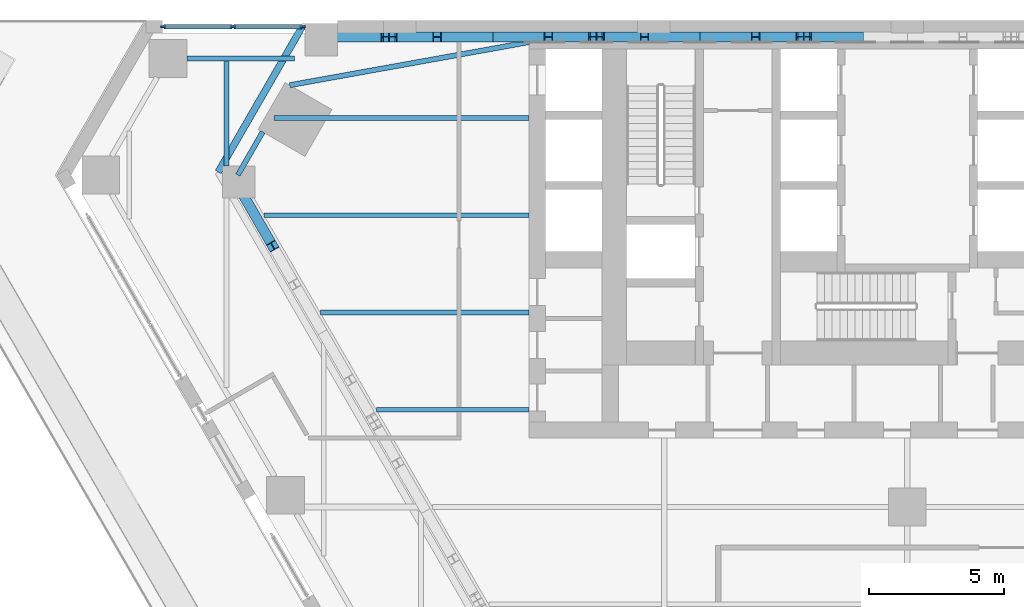
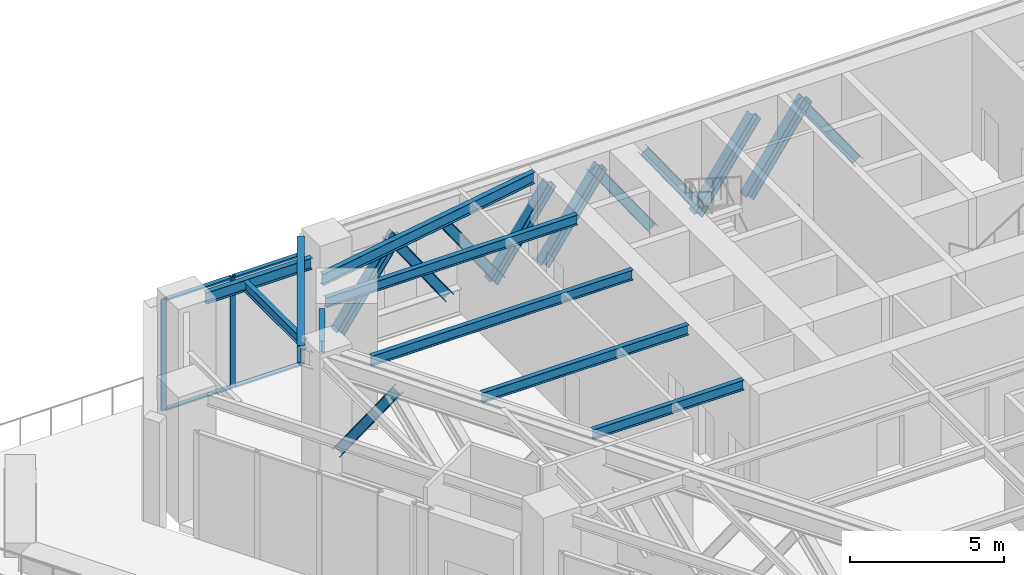
# One storey, part 6 of 25: 18 members, 9 beams, 1 element without a shape of its own.
"""IFC4 building model written with IfcOpenShell, lengths in metres."""

from ifc_helpers import new_model, si_unit, direction, frame, origin, origin_2d, place, context, subcontext, project, spatial, rectangle, i_section, extrude, material, material_profile, profile_set, type_object, element, aggregate, save


model = new_model("IFC4")

# Units and contexts
model_context = context("Model", 3, precision=1e-05, world=origin(), true_north=direction((0.0, 1.0)))
body_context = subcontext(model_context, "Body", "Model", "MODEL_VIEW")
ifc_project = project(units=[si_unit("LENGTHUNIT", "METRE"), si_unit("AREAUNIT", "SQUARE_METRE"), si_unit("VOLUMEUNIT", "CUBIC_METRE"), si_unit("PLANEANGLEUNIT", "RADIAN"), si_unit("MASSUNIT", "GRAM", prefix="KILO")], contexts=[model_context])

# Site, building, storey
site_placement = place(None, origin())
site = spatial("IfcSite", under=ifc_project, at=site_placement, CompositionType="ELEMENT")
building_placement = place(site_placement, origin())
building = spatial("IfcBuilding", under=site, at=building_placement, Name="Aloe Facet Convention Tower", CompositionType="ELEMENT")
storey_placement = place(building_placement, frame((0.0, 0.0, 30.0)))
storey = spatial("IfcBuildingStorey", under=building, at=storey_placement, Name="L05", CompositionType="ELEMENT", Elevation=30.0)

# Beam
ifc_material_1 = material(Name="Steel S355", Category="steel")
ifc_material_profile_1 = material_profile(ifc_material_1, i_section(OverallWidth=0.25439453125, OverallDepth=0.6875, WebThickness=0.01318359375, FlangeThickness=0.02099609375, FilletRadius=0.01513671875, at=origin_2d()), Name="UB 686x254x152")
ifc_profile_set_1 = profile_set([ifc_material_profile_1], Name="Steel S355")
beam_type_1 = type_object("IfcBeamType", Name="EV-EB-UB686x254x152", PredefinedType="BEAM", material=ifc_profile_set_1)
beam_1_placement = place(storey_placement, frame((57.60009765625, 134.77490234375, 4.456298828125), z_axis=(-0.500016243463, -0.866016025414, 0.0), x_axis=(0.866016025414, -0.500016243463, 0.0)))
element("IfcBeam", 1, at=beam_1_placement, inside=storey, type_object=beam_type_1, Name="EB-L06-A", PredefinedType="BEAM", context=body_context, shape_type="SweptSolid", body=[
    extrude(i_section(OverallWidth=0.25439453125, OverallDepth=0.6875, WebThickness=0.01318359375, FlangeThickness=0.02099609375, FilletRadius=0.01513671875, at=origin_2d()), origin(), (0.0, 0.0, 1.0), 6.210205078125),
])

# Curtain wall, members
ifc_material_2 = material(Name="Aluminium, anodised", Category="aluminium")
curtain_wall_type = type_object("IfcCurtainWallType", Name="EV-CW-HALL", PredefinedType="USERDEFINED", material=ifc_material_2)
curtain_wall_placement = place(storey_placement, origin())
curtain_wall = element("IfcCurtainWall", 2, at=curtain_wall_placement, inside=storey, type_object=curtain_wall_type, Name="CW-L05-N12", ObjectType="UNITISED HALL GLAZING", PredefinedType="USERDEFINED")
ifc_material_3 = material(Name="Aluminium, anodised", Category="aluminium")
ifc_material_profile_2 = material_profile(ifc_material_3, rectangle(XDim=0.06494140625, YDim=0.199951171875, at=origin_2d()), Name="AL 65x200")
ifc_profile_set_2 = profile_set([ifc_material_profile_2], Name="Aluminium, anodised")
member_type_1 = type_object("IfcMemberType", Name="EV-MULL-HALL", PredefinedType="MULLION", material=ifc_profile_set_2)
member_1_placement = place(storey_placement, frame((57.617431640625, 134.77490234375, -0.300048828125), z_axis=(0.0, 0.0, 1.0), x_axis=(0.0, -1.0, 0.0)))
member_1 = element("IfcMember", 3, at=member_1_placement, type_object=member_type_1, Name="CW-L05-N12 mullion 1", PredefinedType="MULLION", context=body_context, shape_type="SweptSolid", body=[
    extrude(rectangle(XDim=0.06494140625, YDim=0.199951171875, at=origin_2d()), origin(), (0.0, 0.0, 1.0), 4.41259765625),
])
member_2_placement = place(storey_placement, frame((55.038330078125, 134.77490234375, -0.300048828125), z_axis=(0.0, 0.0, 1.0), x_axis=(0.0, -1.0, 0.0)))
member_2 = element("IfcMember", 4, at=member_2_placement, type_object=member_type_1, Name="CW-L05-N12 mullion 2", PredefinedType="MULLION", context=body_context, shape_type="SweptSolid", body=[
    extrude(rectangle(XDim=0.06494140625, YDim=0.199951171875, at=origin_2d()), origin(), (0.0, 0.0, 1.0), 4.41259765625),
])
member_3_placement = place(storey_placement, frame((52.458984375, 134.77490234375, -0.300048828125), z_axis=(0.0, 0.0, 1.0), x_axis=(0.0, -1.0, 0.0)))
member_3 = element("IfcMember", 5, at=member_3_placement, type_object=member_type_1, Name="CW-L05-N12 mullion 3", PredefinedType="MULLION", context=body_context, shape_type="SweptSolid", body=[
    extrude(rectangle(XDim=0.06494140625, YDim=0.199951171875, at=origin_2d()), origin(), (0.0, 0.0, 1.0), 4.41259765625),
])
ifc_material_4 = material(Name="Aluminium, anodised", Category="aluminium")
ifc_material_profile_3 = material_profile(ifc_material_4, rectangle(XDim=0.159912109375, YDim=0.06494140625, at=origin_2d()), Name="AL 160x65")
ifc_profile_set_3 = profile_set([ifc_material_profile_3], Name="Aluminium, anodised")
member_type_2 = type_object("IfcMemberType", Name="EV-TRAN-HALL", PredefinedType="USERDEFINED", material=ifc_profile_set_3)
member_4_placement = place(storey_placement, frame((57.5849609375, 134.77490234375, -0.267578125), z_axis=(-1.0, 0.0, 0.0), x_axis=(0.0, -1.0, 0.0)))
member_4 = element("IfcMember", 6, at=member_4_placement, type_object=member_type_2, Name="CW-L05-N12 transom 1.1", ObjectType="TRANSOM", PredefinedType="USERDEFINED", context=body_context, shape_type="SweptSolid", body=[
    extrude(rectangle(XDim=0.159912109375, YDim=0.06494140625, at=origin_2d()), origin(), (0.0, 0.0, 1.0), 2.51416015625),
])
member_5_placement = place(storey_placement, frame((57.5849609375, 134.77490234375, 4.080078125), z_axis=(-1.0, 0.0, 0.0), x_axis=(0.0, -1.0, 0.0)))
member_5 = element("IfcMember", 7, at=member_5_placement, type_object=member_type_2, Name="CW-L05-N12 transom 1.2", ObjectType="TRANSOM", PredefinedType="USERDEFINED", context=body_context, shape_type="SweptSolid", body=[
    extrude(rectangle(XDim=0.159912109375, YDim=0.06494140625, at=origin_2d()), origin(), (0.0, 0.0, 1.0), 2.51416015625),
])
member_6_placement = place(storey_placement, frame((55.005859375, 134.77490234375, -0.267578125), z_axis=(-1.0, 0.0, 0.0), x_axis=(0.0, -1.0, 0.0)))
member_6 = element("IfcMember", 8, at=member_6_placement, type_object=member_type_2, Name="CW-L05-N12 transom 2.1", ObjectType="TRANSOM", PredefinedType="USERDEFINED", context=body_context, shape_type="SweptSolid", body=[
    extrude(rectangle(XDim=0.159912109375, YDim=0.06494140625, at=origin_2d()), origin(), (0.0, 0.0, 1.0), 2.514404296875),
])
member_7_placement = place(storey_placement, frame((55.005859375, 134.77490234375, 4.080078125), z_axis=(-1.0, 0.0, 0.0), x_axis=(0.0, -1.0, 0.0)))
member_7 = element("IfcMember", 9, at=member_7_placement, type_object=member_type_2, Name="CW-L05-N12 transom 2.2", ObjectType="TRANSOM", PredefinedType="USERDEFINED", context=body_context, shape_type="SweptSolid", body=[
    extrude(rectangle(XDim=0.159912109375, YDim=0.06494140625, at=origin_2d()), origin(), (0.0, 0.0, 1.0), 2.514404296875),
])
aggregate(curtain_wall, [member_1, member_2, member_3, member_4, member_5, member_6, member_7])

# Beams
ifc_material_5 = material(Name="Steel S355", Category="steel")
ifc_material_profile_4 = material_profile(ifc_material_5, i_section(OverallWidth=0.177734375, OverallDepth=0.402587890625, WebThickness=0.0078125, FlangeThickness=0.010986328125, FilletRadius=0.01025390625, at=origin_2d()), Name="UB 406x178x54")
ifc_profile_set_4 = profile_set([ifc_material_profile_4], Name="Steel S355")
beam_type_2 = type_object("IfcBeamType", Name="SF-B-UB406x178x54", PredefinedType="BEAM", material=ifc_profile_set_4)
beam_2_placement = place(storey_placement, frame((54.800048828125, 129.6279296875, 4.5986328125), z_axis=(0.0, 1.0, 0.0), x_axis=(-1.0, 0.0, 0.0)))
element("IfcBeam", 10, at=beam_2_placement, inside=storey, type_object=beam_type_2, Name="Floor beam FB-L06-820", PredefinedType="BEAM", context=body_context, shape_type="SweptSolid", body=[
    extrude(i_section(OverallWidth=0.177734375, OverallDepth=0.402587890625, WebThickness=0.0078125, FlangeThickness=0.010986328125, FilletRadius=0.01025390625, at=origin_2d()), origin(), (0.0, 0.0, 1.0), 3.8671875),
])
beam_3_placement = place(storey_placement, frame((56.194580078125, 127.800048828125, 4.5986328125), z_axis=(1.0, 0.0, 0.0), x_axis=(0.0, 1.0, 0.0)))
element("IfcBeam", 11, at=beam_3_placement, inside=storey, type_object=beam_type_2, Name="Floor beam FB-Z1A-017", PredefinedType="BEAM", context=body_context, shape_type="SweptSolid", body=[
    extrude(i_section(OverallWidth=0.177734375, OverallDepth=0.402587890625, WebThickness=0.0078125, FlangeThickness=0.010986328125, FilletRadius=0.01025390625, at=origin_2d()), origin(), (0.0, 0.0, 1.0), 9.805419921875),
])
beam_4_placement = place(storey_placement, frame((56.55908203125, 131.39990234375, 4.5986328125), z_axis=(1.0, 0.0, 0.0), x_axis=(0.0, 1.0, 0.0)))
element("IfcBeam", 12, at=beam_4_placement, inside=storey, type_object=beam_type_2, Name="Floor beam FB-Z1A-018", PredefinedType="BEAM", context=body_context, shape_type="SweptSolid", body=[
    extrude(i_section(OverallWidth=0.177734375, OverallDepth=0.402587890625, WebThickness=0.0078125, FlangeThickness=0.010986328125, FilletRadius=0.01025390625, at=origin_2d()), origin(), (0.0, 0.0, 1.0), 9.44091796875),
])
beam_5_placement = place(storey_placement, frame((58.27294921875, 124.199951171875, 4.5986328125), z_axis=(1.0, 0.0, 0.0), x_axis=(0.0, 1.0, 0.0)))
element("IfcBeam", 13, at=beam_5_placement, inside=storey, type_object=beam_type_2, Name="Floor beam FB-Z1A-019", PredefinedType="BEAM", context=body_context, shape_type="SweptSolid", body=[
    extrude(i_section(OverallWidth=0.177734375, OverallDepth=0.402587890625, WebThickness=0.0078125, FlangeThickness=0.010986328125, FilletRadius=0.01025390625, at=origin_2d()), origin(), (0.0, 0.0, 1.0), 7.72705078125),
])
beam_6_placement = place(storey_placement, frame((60.351318359375, 120.60009765625, 4.5986328125), z_axis=(1.0, 0.0, 0.0), x_axis=(0.0, 1.0, 0.0)))
element("IfcBeam", 14, at=beam_6_placement, inside=storey, type_object=beam_type_2, Name="Floor beam FB-Z1A-020", PredefinedType="BEAM", context=body_context, shape_type="SweptSolid", body=[
    extrude(i_section(OverallWidth=0.177734375, OverallDepth=0.402587890625, WebThickness=0.0078125, FlangeThickness=0.010986328125, FilletRadius=0.01025390625, at=origin_2d()), origin(), (0.0, 0.0, 1.0), 5.648681640625),
])
ifc_material_6 = material(Name="Steel S355", Category="steel")
ifc_material_profile_5 = material_profile(ifc_material_6, i_section(OverallWidth=0.18994140625, OverallDepth=0.453369140625, WebThickness=0.008544921875, FlangeThickness=0.0126953125, FilletRadius=0.01025390625, at=origin_2d()), Name="UB 457x191x67")
ifc_profile_set_5 = profile_set([ifc_material_profile_5], Name="Steel S355")
beam_type_3 = type_object("IfcBeamType", Name="SF-B-UB457x191x67", PredefinedType="BEAM", material=ifc_profile_set_5)
beam_7_placement = place(storey_placement, frame((53.3349609375, 133.60009765625, 4.5732421875), z_axis=(1.0, 0.0, 0.0), x_axis=(0.0, 1.0, 0.0)))
element("IfcBeam", 15, at=beam_7_placement, inside=storey, type_object=beam_type_3, Name="Floor beam FB-L06-802", PredefinedType="BEAM", context=body_context, shape_type="SweptSolid", body=[
    extrude(i_section(OverallWidth=0.18994140625, OverallDepth=0.453369140625, WebThickness=0.008544921875, FlangeThickness=0.0126953125, FilletRadius=0.01025390625, at=origin_2d()), origin(), (0.0, 0.0, 1.0), 3.97314453125),
])
beam_8_placement = place(storey_placement, frame((55.218017578125, 129.2841796875, 4.5732421875), z_axis=(0.499932904579, 0.866064137879, 0.0), x_axis=(-0.866064137879, 0.499932904579, 0.0)))
element("IfcBeam", 16, at=beam_8_placement, inside=storey, type_object=beam_type_3, Name="Floor beam FB-Z1A-001", PredefinedType="BEAM", context=body_context, shape_type="SweptSolid", body=[
    extrude(i_section(OverallWidth=0.18994140625, OverallDepth=0.453369140625, WebThickness=0.008544921875, FlangeThickness=0.0126953125, FilletRadius=0.01025390625, at=origin_2d()), origin(), (0.0, 0.0, 1.0), 1.841064453125),
])
beam_9_placement = place(storey_placement, frame((57.138427734375, 132.610595703125, 4.5732421875), z_axis=(0.984194951593, 0.177088388265, 0.0), x_axis=(-0.177088388265, 0.984194951593, 0.0)))
element("IfcBeam", 17, at=beam_9_placement, inside=storey, type_object=beam_type_3, Name="Floor beam FB-Z1A-002", PredefinedType="BEAM", context=body_context, shape_type="SweptSolid", body=[
    extrude(i_section(OverallWidth=0.18994140625, OverallDepth=0.453369140625, WebThickness=0.008544921875, FlangeThickness=0.0126953125, FilletRadius=0.01025390625, at=origin_2d()), origin(), (0.0, 0.0, 1.0), 9.00390625),
])

# Members
ifc_material_7 = material(Name="Steel S355", Category="steel")
ifc_material_profile_6 = material_profile(ifc_material_7, i_section(OverallWidth=0.374755859375, OverallDepth=0.37451171875, WebThickness=0.0166015625, FlangeThickness=0.027099609375, FilletRadius=0.01513671875, at=origin_2d()), Name="UC 356x368x202")
ifc_profile_set_6 = profile_set([ifc_material_profile_6], Name="Steel S355")
member_type_3 = type_object("IfcMemberType", Name="SF-W-UC356x368x202", PredefinedType="BRACE", material=ifc_profile_set_6)
for number, where, z_axis, x_axis, name in (
    (18, (78.221435546875, 134.39990234375, 0.825927734375), (-0.572373553203, 0.0, 0.819992997284), (0.0, -1.0, 0.0), "Transfer ring diagonal TW-F1-13"),
    (19, (76.30322265625, 134.39990234375, 3.97412109375), (-0.572373553203, 0.0, -0.819992997284), (0.0, -1.0, 0.0), "Transfer ring diagonal TW-F1-14"),
):
    element("IfcMember", number, at=place(storey_placement, frame(where, z_axis=z_axis, x_axis=x_axis)), inside=storey, type_object=member_type_3, Name=name, PredefinedType="BRACE", context=body_context, shape_type="SweptSolid", body=[
        extrude(i_section(OverallWidth=0.374755859375, OverallDepth=0.37451171875, WebThickness=0.0166015625, FlangeThickness=0.027099609375, FilletRadius=0.01513671875, at=origin_2d()), origin(), (0.0, 0.0, 1.0), 3.83935546875),
    ])
for number, where, z_axis, x_axis, name in (
    (20, (74.385009765625, 134.39990234375, 3.97412109375), (-0.572330793685, 0.0, -0.82002284273), (0.0, -1.0, 0.0), "Transfer ring diagonal TW-F1-15"),
    (21, (72.466796875, 134.39990234375, 0.825927734375), (-0.572330793685, 0.0, 0.82002284273), (0.0, -1.0, 0.0), "Transfer ring diagonal TW-F1-16"),
    (22, (70.548583984375, 134.39990234375, 0.825927734375), (-0.572330793685, 0.0, 0.82002284273), (0.0, -1.0, 0.0), "Transfer ring diagonal TW-F1-17"),
):
    element("IfcMember", number, at=place(storey_placement, frame(where, z_axis=z_axis, x_axis=x_axis)), inside=storey, type_object=member_type_3, Name=name, PredefinedType="BRACE", context=body_context, shape_type="SweptSolid", body=[
        extrude(i_section(OverallWidth=0.374755859375, OverallDepth=0.37451171875, WebThickness=0.0166015625, FlangeThickness=0.027099609375, FilletRadius=0.01513671875, at=origin_2d()), origin(), (0.0, 0.0, 1.0), 3.839111328125),
    ])
for number, where, z_axis, x_axis, name in (
    (23, (68.630615234375, 134.39990234375, 3.97412109375), (-0.572373553203, 0.0, -0.819992997284), (0.0, -1.0, 0.0), "Transfer ring diagonal TW-F1-18"),
    (24, (66.71240234375, 134.39990234375, 3.97412109375), (-0.572373553203, 0.0, -0.819992997284), (0.0, -1.0, 0.0), "Transfer ring diagonal TW-F1-19"),
    (25, (64.794189453125, 134.39990234375, 0.825927734375), (-0.572373553203, 0.0, 0.819992997284), (0.0, -1.0, 0.0), "Transfer ring diagonal TW-F1-20"),
):
    element("IfcMember", number, at=place(storey_placement, frame(where, z_axis=z_axis, x_axis=x_axis)), inside=storey, type_object=member_type_3, Name=name, PredefinedType="BRACE", context=body_context, shape_type="SweptSolid", body=[
        extrude(i_section(OverallWidth=0.374755859375, OverallDepth=0.37451171875, WebThickness=0.0166015625, FlangeThickness=0.027099609375, FilletRadius=0.01513671875, at=origin_2d()), origin(), (0.0, 0.0, 1.0), 3.83935546875),
    ])
for number, where, z_axis, x_axis, name in (
    (26, (62.8759765625, 134.39990234375, 0.825927734375), (-0.572330793685, 0.0, 0.82002284273), (0.0, -1.0, 0.0), "Transfer ring diagonal TW-F1-21"),
    (27, (60.957763671875, 134.39990234375, 3.97412109375), (-0.572330793685, 0.0, -0.82002284273), (0.0, -1.0, 0.0), "Transfer ring diagonal TW-F1-22"),
):
    element("IfcMember", number, at=place(storey_placement, frame(where, z_axis=z_axis, x_axis=x_axis)), inside=storey, type_object=member_type_3, Name=name, PredefinedType="BRACE", context=body_context, shape_type="SweptSolid", body=[
        extrude(i_section(OverallWidth=0.374755859375, OverallDepth=0.37451171875, WebThickness=0.0166015625, FlangeThickness=0.027099609375, FilletRadius=0.01513671875, at=origin_2d()), origin(), (0.0, 0.0, 1.0), 3.839111328125),
    ])
member_8_placement = place(storey_placement, frame((55.417724609375, 128.54833984375, 0.825927734375), z_axis=(0.285304587634, -0.49418830358, 0.821205950344), x_axis=(0.866036909293, 0.499980071345, 0.0)))
element("IfcMember", 28, at=member_8_placement, inside=storey, type_object=member_type_3, Name="Transfer ring diagonal TW-F2-01", PredefinedType="BRACE", context=body_context, shape_type="SweptSolid", body=[
    extrude(i_section(OverallWidth=0.374755859375, OverallDepth=0.37451171875, WebThickness=0.0166015625, FlangeThickness=0.027099609375, FilletRadius=0.01513671875, at=origin_2d()), origin(), (0.0, 0.0, 1.0), 3.833740234375),
])

save(model, "model.ifc")
